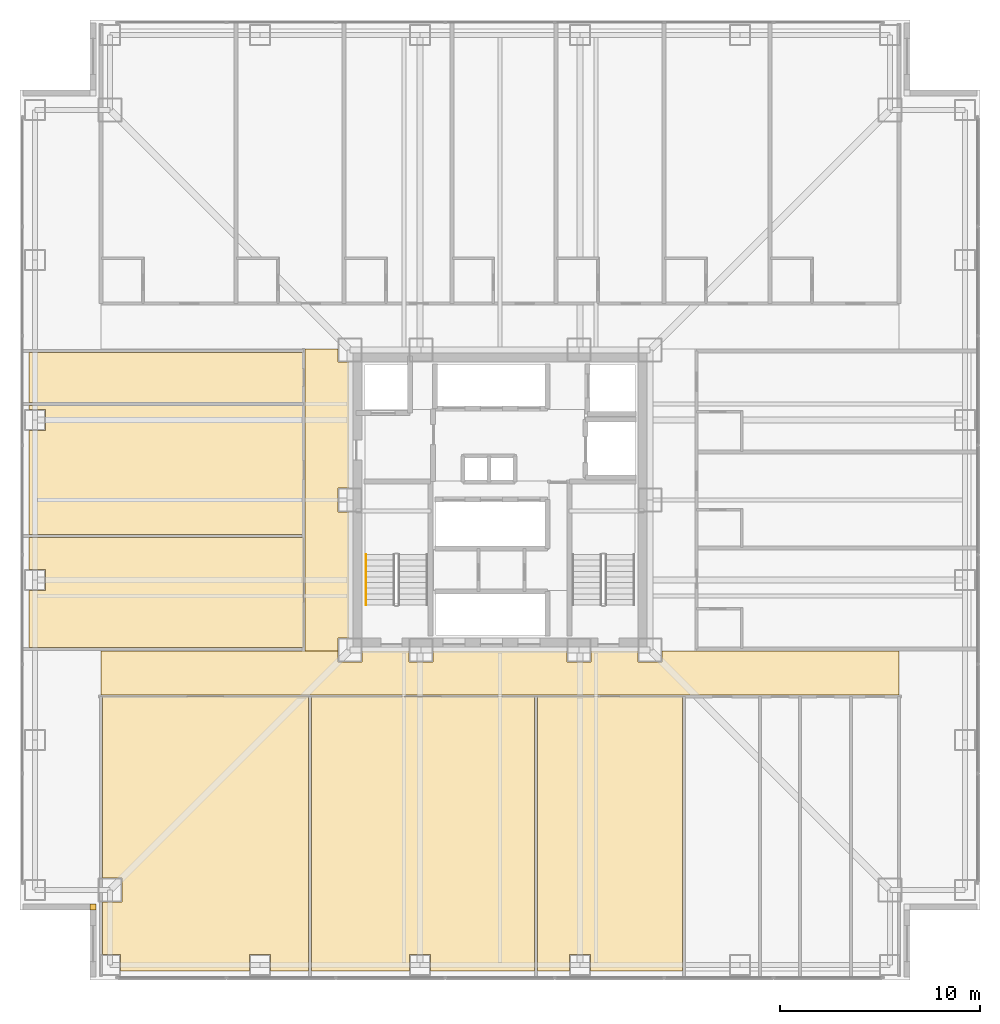
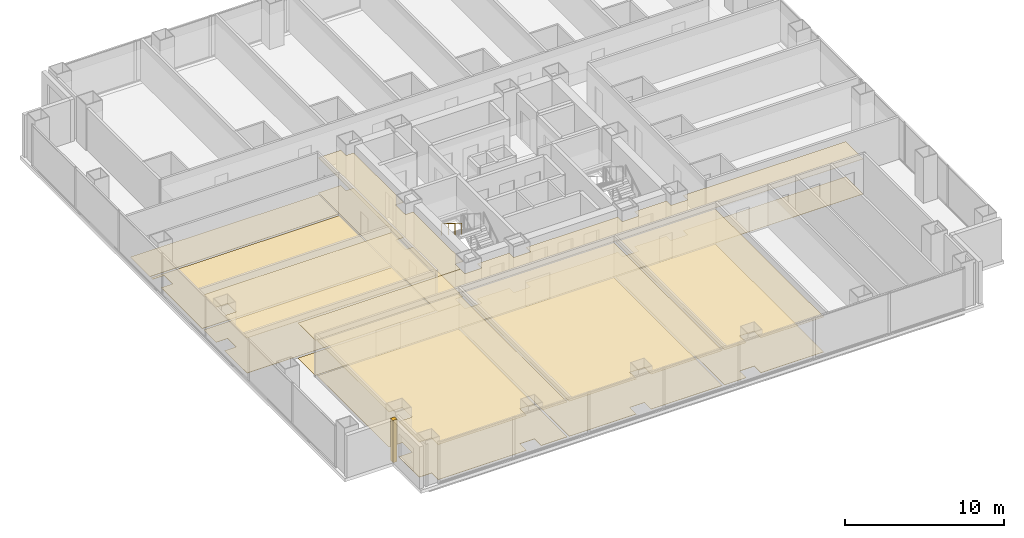
# One storey, part 14 of 16: 15 coverings, 1 railing.
"""IFC4 building model written with IfcOpenShell, lengths in metres."""

import ifcopenshell
import ifcopenshell.guid

model = None  # the IFC model being written
_history = None  # IfcOwnerHistory: only IFC2X3 demands one
_inside = {}  # id of a spatial element -> (the spatial element, [elements in it])
_under = {}  # id of a project, library or spatial element -> (it, [spatial elements below it])
_declared = {}  # id of a project -> (the project, [libraries it declares])
_typed = {}  # id of a type object -> (the type object, [elements of that type])
_made_of = {}  # id of a material, layer set ... -> (it, [elements and type objects made of it])


def new_model(schema):
    """Start an empty IFC model of exactly this schema.

    Asked for "IFC4X3", IfcOpenShell would pick the latest addendum, in which some entities
    have other attributes; the version numbers below select the first issue.
    IFC2X3 requires an IfcOwnerHistory on every rooted entity: one is made here for all.
    """
    global model, _history
    if schema == "IFC4X3":
        model = ifcopenshell.file(schema_version=(4, 3, 0, 0))
    else:
        model = ifcopenshell.file(schema=schema)
    _inside.clear()
    _under.clear()
    _declared.clear()
    _typed.clear()
    _made_of.clear()
    _history = None
    if model.schema == "IFC2X3":
        org = make("IfcOrganization", Name="unknown")
        user = make(
            "IfcPersonAndOrganization",
            ThePerson=make("IfcPerson", FamilyName="unknown"),
            TheOrganization=org,
        )
        app = make(
            "IfcApplication",
            ApplicationDeveloper=org,
            Version="unknown",
            ApplicationFullName="unknown",
            ApplicationIdentifier="unknown",
        )
        _history = make(
            "IfcOwnerHistory",
            OwningUser=user,
            OwningApplication=app,
            ChangeAction="ADDED",
            CreationDate=0,
        )
    return model


def make(cls, **values):
    """One entity of the class cls with the attributes given. An attribute that is None is left unset."""
    return model.create_entity(
        cls, **{name: value for name, value in values.items() if value is not None}
    )


def rooted(cls, **values):
    """An entity with a GlobalId (a new one), such as an element, a storey or a relation."""
    return make(cls, GlobalId=ifcopenshell.guid.new(), OwnerHistory=_history, **values)


def si_unit(unit_type, name, prefix=None):
    """IfcSIUnit, for example si_unit("LENGTHUNIT", "METRE", prefix="MILLI")."""
    return make("IfcSIUnit", UnitType=unit_type, Prefix=prefix, Name=name)


def assignment(units):
    """IfcUnitAssignment: the units of a project."""
    return None if units is None else make("IfcUnitAssignment", Units=units)


def point(xyz):
    """IfcCartesianPoint."""
    return None if xyz is None else make("IfcCartesianPoint", Coordinates=xyz)


def direction(xyz):
    """IfcDirection."""
    return None if xyz is None else make("IfcDirection", DirectionRatios=xyz)


def frame(location, z_axis=None, x_axis=None):
    """IfcAxis2Placement3D, a coordinate frame: its origin and axes. An axis left out is left unset."""
    return make(
        "IfcAxis2Placement3D",
        Location=point(location),
        Axis=direction(z_axis),
        RefDirection=direction(x_axis),
    )


def frame_2d(location, x_axis=None):
    """IfcAxis2Placement2D, a coordinate frame in the plane: its origin and x axis."""
    return make(
        "IfcAxis2Placement2D", Location=point(location), RefDirection=direction(x_axis)
    )


def origin():
    """The frame at (0, 0, 0) with its axes left unset."""
    return frame((0.0, 0.0, 0.0))


def origin_2d():
    """The frame at (0, 0) in the plane with its x axis left unset."""
    return frame_2d((0.0, 0.0))


def place(relative_to, where):
    """IfcLocalPlacement: puts the frame where relative to a parent placement (None: the world)."""
    return make(
        "IfcLocalPlacement", PlacementRelTo=relative_to, RelativePlacement=where
    )


def context(
    kind, dimensions, precision=None, world=None, true_north=None, identifier=None
):
    """IfcGeometricRepresentationContext, for example the 3D "Model" context."""
    return make(
        "IfcGeometricRepresentationContext",
        ContextIdentifier=identifier,
        ContextType=kind,
        CoordinateSpaceDimension=dimensions,
        Precision=precision,
        WorldCoordinateSystem=world,
        TrueNorth=true_north,
    )


def subcontext(parent, identifier, kind, view, scale=None):
    """IfcGeometricRepresentationSubContext, for example "Body" below "Model"."""
    return make(
        "IfcGeometricRepresentationSubContext",
        ContextIdentifier=identifier,
        ContextType=kind,
        ParentContext=parent,
        TargetScale=scale,
        TargetView=view,
    )


def project(units=None, contexts=None):
    """IfcProject with its units and contexts."""
    return rooted(
        "IfcProject",
        Name="project",
        RepresentationContexts=contexts,
        UnitsInContext=assignment(units),
    )


def spatial(cls, under=None, at=None, **own):
    """A site, building, storey or space (cls), placed at a placement, below another one or the project."""
    s = rooted(cls, ObjectPlacement=at, **own)
    if under is not None:
        _under.setdefault(under.id(), (under, []))[1].append(s)
    return s


def polyline(points):
    """IfcPolyline through the points."""
    return make("IfcPolyline", Points=[point(p) for p in points])


def profile(cls, at=None, kind="AREA", **sizes):
    """A parametric profile (cls). Its sizes go by their IFC names, for example OverallWidth=200.0."""
    return make(cls, ProfileType=kind, Position=at, **sizes)


def circle(**sizes):
    """IfcCircleProfileDef."""
    return profile("IfcCircleProfileDef", **sizes)


def outline(outer, holes=None, kind="AREA"):
    """IfcArbitraryClosedProfileDef: a profile drawn as a closed curve; with holes, ...WithVoids."""
    if holes is None:
        return make("IfcArbitraryClosedProfileDef", ProfileType=kind, OuterCurve=outer)
    return make(
        "IfcArbitraryProfileDefWithVoids",
        ProfileType=kind,
        OuterCurve=outer,
        InnerCurves=holes,
    )


def extrude(swept, where, along, depth):
    """IfcExtrudedAreaSolid: the profile swept, set in the frame where, extruded along a direction by depth."""
    return make(
        "IfcExtrudedAreaSolid",
        SweptArea=swept,
        Position=where,
        ExtrudedDirection=direction(along),
        Depth=depth,
    )


def shape(context_of_items, identifier, shape_type, items):
    """IfcShapeRepresentation: the items that make up one representation, for example the "Body"."""
    return make(
        "IfcShapeRepresentation",
        ContextOfItems=context_of_items,
        RepresentationIdentifier=identifier,
        RepresentationType=shape_type,
        Items=items,
    )


def material(Name=None, Category=None):
    """IfcMaterial."""
    return make("IfcMaterial", Name=Name, Category=Category)


def layer(
    of_material, thickness, ventilated=None, Name=None, Category=None, Priority=None
):
    """IfcMaterialLayer: one layer of a wall or slab, of a material (None: an air gap)."""
    return make(
        "IfcMaterialLayer",
        Material=of_material,
        LayerThickness=thickness,
        IsVentilated=ventilated,
        Name=Name,
        Category=Category,
        Priority=Priority,
    )


def layer_set(layers, Name=None):
    """IfcMaterialLayerSet."""
    return make("IfcMaterialLayerSet", MaterialLayers=layers, LayerSetName=Name)


def made_of(thing, what):
    """Note that an element or type object is made of a material, layer set ...; save() writes the relation."""
    if what is not None:
        _made_of.setdefault(what.id(), (what, []))[1].append(thing)
    return thing


def type_object(cls, material=None, **own):
    """A type object (cls), such as IfcWallType, which elements share."""
    return made_of(rooted(cls, **own), material)


def element(
    cls,
    number,
    at=None,
    inside=None,
    cuts=None,
    type_object=None,
    material=None,
    context=None,
    identifier="Body",
    shape_type=None,
    held_by="IfcProductDefinitionShape",
    body=None,
    shapes=None,
    **own,
):
    """One element of the class cls, such as IfcWall. Its Tag is "e" and its number.

    at: its placement. inside: the storey or other place that contains it. cuts: it is an
    opening in that element (IfcRelVoidsElement). A single representation is given by context,
    identifier, shape_type and body (its items); several are given by shapes. held_by: the class
    of the entity that holds the representations. save() writes the other relations.
    """
    e = rooted(cls, Tag="e%d" % number, ObjectPlacement=at, **own)
    if body is not None:
        shapes = [shape(context, identifier, shape_type, body)]
    if shapes is not None:
        e.Representation = make(held_by, Representations=shapes)
    if inside is not None:
        _inside.setdefault(inside.id(), (inside, []))[1].append(e)
    if cuts is not None:
        rooted(
            "IfcRelVoidsElement", RelatingBuildingElement=cuts, RelatedOpeningElement=e
        )
    if type_object is not None:
        _typed.setdefault(type_object.id(), (type_object, []))[1].append(e)
    return made_of(e, material)


def aggregate(whole, parts):
    """IfcRelAggregates: a whole, such as a stair, and the parts it consists of."""
    return rooted("IfcRelAggregates", RelatingObject=whole, RelatedObjects=parts)


def save(model, path):
    """Write the relations noted so far, then the file.

    IfcRelAggregates (storeys below a building ...), IfcRelContainedInSpatialStructure (elements
    in a storey), IfcRelDefinesByType, IfcRelAssociatesMaterial and IfcRelDeclares: one each for
    every whole, place, type object, material and project.
    """
    for whole, parts in _under.values():
        aggregate(whole, parts)
    for where, things in _inside.values():
        rooted(
            "IfcRelContainedInSpatialStructure",
            RelatedElements=things,
            RelatingStructure=where,
        )
    for kind, things in _typed.values():
        rooted("IfcRelDefinesByType", RelatedObjects=things, RelatingType=kind)
    for what, things in _made_of.values():
        rooted("IfcRelAssociatesMaterial", RelatedObjects=things, RelatingMaterial=what)
    for by, libraries in _declared.values():
        rooted("IfcRelDeclares", RelatingContext=by, RelatedDefinitions=libraries)
    model.write(path)


model = new_model("IFC4")

# Units and contexts
model_context = context("Model", 3, precision=1e-05, world=origin(), true_north=direction((0.0, 1.0)))
body_context = subcontext(model_context, "Body", "Model", "MODEL_VIEW")
ifc_project = project(units=[si_unit("LENGTHUNIT", "METRE"), si_unit("AREAUNIT", "SQUARE_METRE"), si_unit("VOLUMEUNIT", "CUBIC_METRE"), si_unit("PLANEANGLEUNIT", "RADIAN"), si_unit("MASSUNIT", "GRAM", prefix="KILO")], contexts=[model_context])

# Site, building, storey
site_placement = place(None, origin())
site = spatial("IfcSite", under=ifc_project, at=site_placement, CompositionType="ELEMENT")
building_placement = place(site_placement, origin())
building = spatial("IfcBuilding", under=site, at=building_placement, Name="Trevonay Congress Spire", CompositionType="ELEMENT")
storey_placement = place(building_placement, frame((0.0, 0.0, 72.5)))
storey = spatial("IfcBuildingStorey", under=building, at=storey_placement, Name="L18", CompositionType="ELEMENT", Elevation=72.5)

# Coverings
ifc_material_1 = material(Name="Acoustic Mineral Fibre Board", Category="gypsum")
ifc_layer_1 = layer(ifc_material_1, 0.02490234375, Name="Acoustic Mineral Fibre Board")
ifc_layer_set_1 = layer_set([ifc_layer_1], Name="Acoustic Mineral Fibre Board")
covering_type_1 = type_object("IfcCoveringType", Name="COV-CEIL-ACOUSTIC", PredefinedType="CEILING", material=ifc_layer_set_1)
covering_1_placement = place(storey_placement, frame((0.0, 0.0, 2.699951171875)))
element("IfcCovering", 1, at=covering_1_placement, inside=storey, type_object=covering_type_1, Name="L18 Hotel Floor Corridor South acoustic suspended ceiling", PredefinedType="CEILING", context=body_context, shape_type="SweptSolid", body=[
    extrude(outline(polyline([(19.949951171875, -7.550048828125), (19.949951171875, -9.75), (-19.949951171875, -9.75), (-19.949951171875, -7.550048828125), (-8.110107421875, -7.550048828125), (-8.110107421875, -8.110107421875), (-6.889892578125, -8.110107421875), (-6.889892578125, -7.550048828125), (-4.56005859375, -7.550048828125), (-4.56005859375, -8.110107421875), (-3.340087890625, -8.110107421875), (-3.340087890625, -7.550048828125), (3.340087890625, -7.550048828125), (3.340087890625, -8.110107421875), (4.56005859375, -8.110107421875), (4.56005859375, -7.550048828125), (6.889892578125, -7.550048828125), (6.889892578125, -8.110107421875), (8.110107421875, -8.110107421875), (8.110107421875, -7.550048828125), (19.949951171875, -7.550048828125)])), origin(), (0.0, 0.0, 1.0), 0.025146484375),
])
covering_2_placement = place(storey_placement, frame((0.0, 0.0, 2.699951171875)))
element("IfcCovering", 2, at=covering_2_placement, inside=storey, type_object=covering_type_1, Name="L18 Hotel Floor Corridor West acoustic suspended ceiling", PredefinedType="CEILING", context=body_context, shape_type="SweptSolid", body=[
    extrude(outline(polyline([(-9.75, 7.550048828125), (-8.110107421875, 7.550048828125), (-8.110107421875, 6.889892578125), (-7.550048828125, 6.889892578125), (-7.550048828125, 0.610107421875), (-8.110107421875, 0.610107421875), (-8.110107421875, -0.610107421875), (-7.550048828125, -0.610107421875), (-7.550048828125, -6.889892578125), (-8.110107421875, -6.889892578125), (-8.110107421875, -7.550048828125), (-9.75, -7.550048828125), (-9.75, 7.550048828125)])), origin(), (0.0, 0.0, 1.0), 0.025146484375),
])
covering_3_placement = place(storey_placement, frame((0.0, 0.0, 2.699951171875)))
element("IfcCovering", 3, at=covering_3_placement, inside=storey, type_object=covering_type_1, Name="L18 Sky Banquet Dining Salon West acoustic suspended ceiling", PredefinedType="CEILING", context=body_context, shape_type="SweptSolid", body=[
    extrude(outline(polyline([(-18.965087890625, -23.550048828125), (-18.965087890625, -22.715087890625), (-19.8701171875, -22.715087890625), (-19.8701171875, -20.110107421875), (-18.889892578125, -20.110107421875), (-18.889892578125, -18.889892578125), (-19.8701171875, -18.889892578125), (-19.8701171875, -9.830078125), (-9.580078125, -9.830078125), (-9.580078125, -23.550048828125), (-11.465087890625, -23.550048828125), (-11.465087890625, -22.715087890625), (-12.534912109375, -22.715087890625), (-12.534912109375, -23.550048828125), (-18.965087890625, -23.550048828125)])), origin(), (0.0, 0.0, 1.0), 0.025146484375),
])
covering_4_placement = place(storey_placement, frame((0.0, 0.0, 2.699951171875)))
element("IfcCovering", 4, at=covering_4_placement, inside=storey, type_object=covering_type_1, Name="L18 Sky Banquet Dining Salon East acoustic suspended ceiling", PredefinedType="CEILING", context=body_context, shape_type="SweptSolid", body=[
    extrude(outline(polyline([(-9.419921875, -23.550048828125), (-9.419921875, -9.830078125), (1.719970703125, -9.830078125), (1.719970703125, -23.550048828125), (-3.465087890625, -23.550048828125), (-3.465087890625, -22.715087890625), (-4.534912109375, -22.715087890625), (-4.534912109375, -23.550048828125), (-9.419921875, -23.550048828125)])), origin(), (0.0, 0.0, 1.0), 0.025146484375),
])
covering_5_placement = place(storey_placement, frame((0.0, 0.0, 2.699951171875)))
element("IfcCovering", 5, at=covering_5_placement, inside=storey, type_object=covering_type_1, Name="L18 Banquet Finishing Kitchen acoustic suspended ceiling", PredefinedType="CEILING", context=body_context, shape_type="SweptSolid", body=[
    extrude(outline(polyline([(1.8798828125, -23.550048828125), (1.8798828125, -9.830078125), (9.1201171875, -9.830078125), (9.1201171875, -23.550048828125), (4.534912109375, -23.550048828125), (4.534912109375, -22.715087890625), (3.465087890625, -22.715087890625), (3.465087890625, -23.550048828125), (1.8798828125, -23.550048828125)])), origin(), (0.0, 0.0, 1.0), 0.025146484375),
])
covering_6_placement = place(storey_placement, frame((0.0, 0.0, 2.699951171875)))
element("IfcCovering", 6, at=covering_6_placement, inside=storey, type_object=covering_type_1, Name="L18 Private Dining Boardroom 1 acoustic suspended ceiling", PredefinedType="CEILING", context=body_context, shape_type="SweptSolid", body=[
    extrude(outline(polyline([(-23.550048828125, -1.8798828125), (-9.830078125, -1.8798828125), (-9.830078125, -7.3701171875), (-23.550048828125, -7.3701171875), (-23.550048828125, -4.534912109375), (-22.715087890625, -4.534912109375), (-22.715087890625, -3.465087890625), (-23.550048828125, -3.465087890625), (-23.550048828125, -1.8798828125)])), origin(), (0.0, 0.0, 1.0), 0.025146484375),
])
ifc_material_2 = material(Name="Polished Granite Floor Tile", Category="masonry")
ifc_layer_2 = layer(ifc_material_2, 0.02001953125, Name="Polished Granite Floor Tile")
ifc_layer_set_2 = layer_set([ifc_layer_2], Name="Polished Granite Floor Tile")
covering_type_2 = type_object("IfcCoveringType", Name="COV-FLOOR-STONE", PredefinedType="FLOORING", material=ifc_layer_set_2)
covering_7_placement = place(storey_placement, origin())
element("IfcCovering", 7, at=covering_7_placement, inside=storey, type_object=covering_type_2, Name="L18 Hotel Floor Corridor South floor finish", PredefinedType="FLOORING", context=body_context, shape_type="SweptSolid", body=[
    extrude(outline(polyline([(19.949951171875, -7.550048828125), (19.949951171875, -9.75), (-19.949951171875, -9.75), (-19.949951171875, -7.550048828125), (-8.110107421875, -7.550048828125), (-8.110107421875, -8.110107421875), (-6.889892578125, -8.110107421875), (-6.889892578125, -7.550048828125), (-4.56005859375, -7.550048828125), (-4.56005859375, -8.110107421875), (-3.340087890625, -8.110107421875), (-3.340087890625, -7.550048828125), (3.340087890625, -7.550048828125), (3.340087890625, -8.110107421875), (4.56005859375, -8.110107421875), (4.56005859375, -7.550048828125), (6.889892578125, -7.550048828125), (6.889892578125, -8.110107421875), (8.110107421875, -8.110107421875), (8.110107421875, -7.550048828125), (19.949951171875, -7.550048828125)])), origin(), (0.0, 0.0, 1.0), 0.02001953125),
])
covering_8_placement = place(storey_placement, origin())
element("IfcCovering", 8, at=covering_8_placement, inside=storey, type_object=covering_type_2, Name="L18 Hotel Floor Corridor West floor finish", PredefinedType="FLOORING", context=body_context, shape_type="SweptSolid", body=[
    extrude(outline(polyline([(-9.75, 7.550048828125), (-8.110107421875, 7.550048828125), (-8.110107421875, 6.889892578125), (-7.550048828125, 6.889892578125), (-7.550048828125, 0.610107421875), (-8.110107421875, 0.610107421875), (-8.110107421875, -0.610107421875), (-7.550048828125, -0.610107421875), (-7.550048828125, -6.889892578125), (-8.110107421875, -6.889892578125), (-8.110107421875, -7.550048828125), (-9.75, -7.550048828125), (-9.75, 7.550048828125)])), origin(), (0.0, 0.0, 1.0), 0.02001953125),
])
covering_9_placement = place(storey_placement, origin())
element("IfcCovering", 9, at=covering_9_placement, inside=storey, type_object=covering_type_2, Name="L18 Sky Banquet Dining Salon West floor finish", PredefinedType="FLOORING", context=body_context, shape_type="SweptSolid", body=[
    extrude(outline(polyline([(-18.965087890625, -23.550048828125), (-18.965087890625, -22.715087890625), (-19.8701171875, -22.715087890625), (-19.8701171875, -20.110107421875), (-18.889892578125, -20.110107421875), (-18.889892578125, -18.889892578125), (-19.8701171875, -18.889892578125), (-19.8701171875, -9.830078125), (-9.580078125, -9.830078125), (-9.580078125, -23.550048828125), (-11.465087890625, -23.550048828125), (-11.465087890625, -22.715087890625), (-12.534912109375, -22.715087890625), (-12.534912109375, -23.550048828125), (-18.965087890625, -23.550048828125)])), origin(), (0.0, 0.0, 1.0), 0.02001953125),
])
covering_10_placement = place(storey_placement, origin())
element("IfcCovering", 10, at=covering_10_placement, inside=storey, type_object=covering_type_2, Name="L18 Sky Banquet Dining Salon East floor finish", PredefinedType="FLOORING", context=body_context, shape_type="SweptSolid", body=[
    extrude(outline(polyline([(-9.419921875, -23.550048828125), (-9.419921875, -9.830078125), (1.719970703125, -9.830078125), (1.719970703125, -23.550048828125), (-3.465087890625, -23.550048828125), (-3.465087890625, -22.715087890625), (-4.534912109375, -22.715087890625), (-4.534912109375, -23.550048828125), (-9.419921875, -23.550048828125)])), origin(), (0.0, 0.0, 1.0), 0.02001953125),
])
covering_11_placement = place(storey_placement, origin())
element("IfcCovering", 11, at=covering_11_placement, inside=storey, type_object=covering_type_2, Name="L18 Banquet Finishing Kitchen floor finish", PredefinedType="FLOORING", context=body_context, shape_type="SweptSolid", body=[
    extrude(outline(polyline([(1.8798828125, -23.550048828125), (1.8798828125, -9.830078125), (9.1201171875, -9.830078125), (9.1201171875, -23.550048828125), (4.534912109375, -23.550048828125), (4.534912109375, -22.715087890625), (3.465087890625, -22.715087890625), (3.465087890625, -23.550048828125), (1.8798828125, -23.550048828125)])), origin(), (0.0, 0.0, 1.0), 0.02001953125),
])
covering_12_placement = place(storey_placement, origin())
element("IfcCovering", 12, at=covering_12_placement, inside=storey, type_object=covering_type_2, Name="L18 Housekeeping and Linen Room floor finish", PredefinedType="FLOORING", context=body_context, shape_type="SweptSolid", body=[
    extrude(outline(polyline([(-23.550048828125, 4.719970703125), (-9.830078125, 4.719970703125), (-9.830078125, -1.719970703125), (-23.550048828125, -1.719970703125), (-23.550048828125, 3.465087890625), (-22.715087890625, 3.465087890625), (-22.715087890625, 4.534912109375), (-23.550048828125, 4.534912109375), (-23.550048828125, 4.719970703125)])), origin(), (0.0, 0.0, 1.0), 0.02001953125),
])
covering_13_placement = place(storey_placement, origin())
element("IfcCovering", 13, at=covering_13_placement, inside=storey, type_object=covering_type_2, Name="L18 Male Restroom WC floor finish", PredefinedType="FLOORING", context=body_context, shape_type="SweptSolid", body=[
    extrude(outline(polyline([(-23.550048828125, 4.8798828125), (-9.830078125, 4.8798828125), (-9.830078125, 7.3701171875), (-23.550048828125, 7.3701171875), (-23.550048828125, 4.8798828125)])), origin(), (0.0, 0.0, 1.0), 0.02001953125),
])
ifc_material_3 = material(Name="Engineered Oak Flooring", Category="wood")
ifc_layer_3 = layer(ifc_material_3, 0.01806640625, Name="Engineered Oak Flooring")
ifc_layer_set_3 = layer_set([ifc_layer_3], Name="Engineered Oak Flooring")
covering_type_3 = type_object("IfcCoveringType", Name="COV-FLOOR-TIMBER", PredefinedType="FLOORING", material=ifc_layer_set_3)
covering_14_placement = place(storey_placement, origin())
element("IfcCovering", 14, at=covering_14_placement, inside=storey, type_object=covering_type_3, Name="L18 Private Dining Boardroom 1 floor finish", PredefinedType="FLOORING", context=body_context, shape_type="SweptSolid", body=[
    extrude(outline(polyline([(-23.550048828125, -1.8798828125), (-9.830078125, -1.8798828125), (-9.830078125, -7.3701171875), (-23.550048828125, -7.3701171875), (-23.550048828125, -4.534912109375), (-22.715087890625, -4.534912109375), (-22.715087890625, -3.465087890625), (-23.550048828125, -3.465087890625), (-23.550048828125, -1.8798828125)])), origin(), (0.0, 0.0, 1.0), 0.01806640625),
])
ifc_material_4 = material(Name="Pale Anodised Aluminium EN AW-6063-T6", Category="aluminium")
ifc_layer_4 = layer(ifc_material_4, 0.0400390625, Name="Pale Anodised Aluminium EN AW-6063-T6")
ifc_layer_set_4 = layer_set([ifc_layer_4], Name="Pale Anodised Aluminium EN AW-6063-T6")
covering_type_4 = type_object("IfcCoveringType", Name="COV-SPANDREL-PALE-METAL", PredefinedType="CLADDING", material=ifc_layer_set_4)
covering_15_placement = place(storey_placement, origin())
element("IfcCovering", 15, at=covering_15_placement, inside=storey, type_object=covering_type_4, Name="L18 SW re-entrant notch corner closure trim", PredefinedType="CLADDING", context=body_context, shape_type="SweptSolid", body=[
    extrude(outline(polyline([(-20.5, -20.5), (-20.199951171875, -20.5), (-20.199951171875, -20.199951171875), (-20.5, -20.199951171875), (-20.5, -20.5)])), origin(), (0.0, 0.0, 1.0), 3.25),
])

# Railing
railing_type = type_object("IfcRailingType", Name="RAL-STAIR-HANDRAIL", PredefinedType="HANDRAIL", material=ifc_material_4)
railing_placement = place(storey_placement, frame((-6.699951171875, -2.72998046875, 1.925048828125)))
element("IfcRailing", 16, at=railing_placement, inside=storey, type_object=railing_type, Name="L18 ST-1 stair handrail 2", PredefinedType="HANDRAIL", context=body_context, shape_type="SweptSolid", body=[
    extrude(circle(Radius=0.02392578125, at=origin_2d()), frame((0.0, 0.0, 0.8759765625), z_axis=(0.0, -0.848007534815, 0.529984170421), x_axis=(1.0, 0.0, 0.0)), (0.0, 0.0, 1.0), 2.9716796875),
    extrude(circle(Radius=0.02099609375, at=origin_2d()), origin(), (0.0, 0.0, 1.0), 0.851806640625),
    extrude(circle(Radius=0.02099609375, at=origin_2d()), frame((0.0, -0.840087890625, 0.52490234375)), (0.0, 0.0, 1.0), 0.851806640625),
    extrude(circle(Radius=0.02099609375, at=origin_2d()), frame((0.0, -1.679931640625, 1.050048828125)), (0.0, 0.0, 1.0), 0.851806640625),
    extrude(circle(Radius=0.02099609375, at=origin_2d()), frame((0.0, -2.52001953125, 1.574951171875)), (0.0, 0.0, 1.0), 0.851806640625),
])

save(model, "model.ifc")
